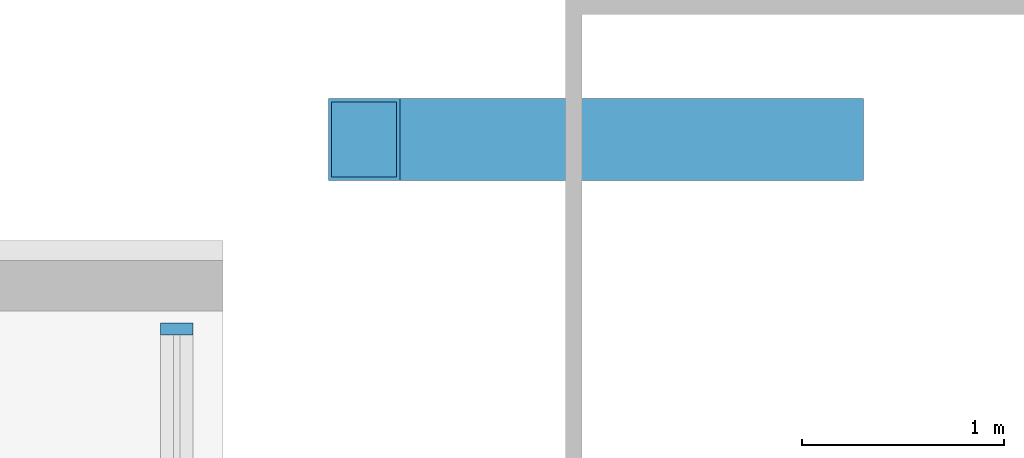
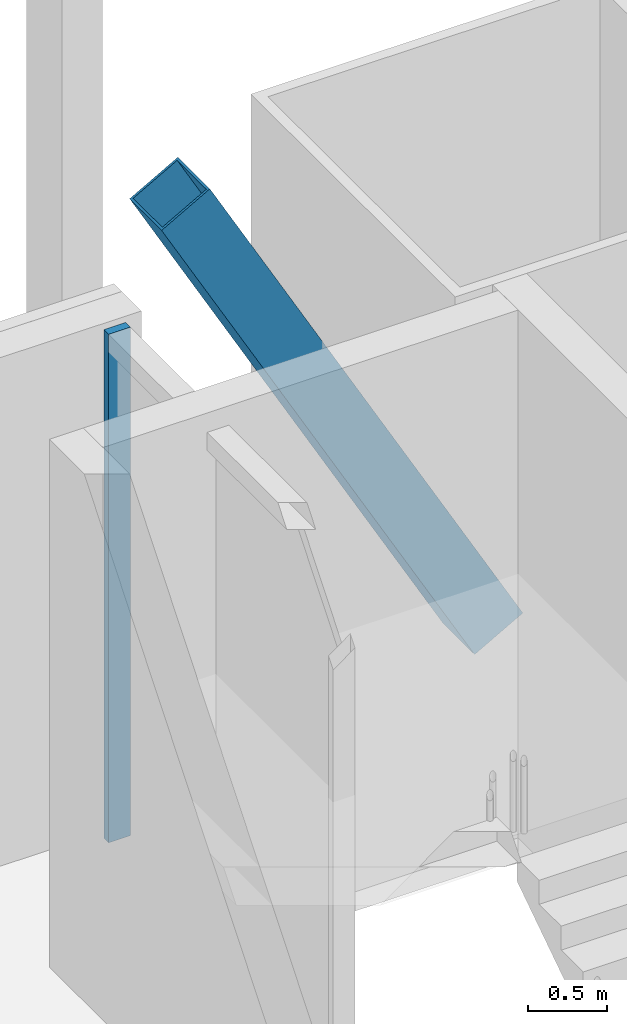
# One storey, part 26 of 33: 2 members, 1 element without a shape of its own.
"""IFC4 building model written with IfcOpenShell, lengths in metres."""

from ifc_helpers import new_model, si_unit, direction, frame, origin, origin_2d, place, context, subcontext, project, spatial, rectangle, hollow_rectangle, extrude, material, material_profile, profile_set, type_object, element, aggregate, save


model = new_model("IFC4")

# Units and contexts
model_context = context("Model", 3, precision=1e-05, world=origin(), true_north=direction((0.0, 1.0)))
body_context = subcontext(model_context, "Body", "Model", "MODEL_VIEW")
ifc_project = project(units=[si_unit("LENGTHUNIT", "METRE"), si_unit("AREAUNIT", "SQUARE_METRE"), si_unit("VOLUMEUNIT", "CUBIC_METRE"), si_unit("PLANEANGLEUNIT", "RADIAN"), si_unit("MASSUNIT", "GRAM", prefix="KILO")], contexts=[model_context])

# Site, building, storey
site_placement = place(None, origin())
site = spatial("IfcSite", under=ifc_project, at=site_placement, CompositionType="ELEMENT")
building_placement = place(site_placement, origin())
building = spatial("IfcBuilding", under=site, at=building_placement, Name="Bicima Exchange Tower", CompositionType="ELEMENT")
storey_placement = place(building_placement, frame((0.0, 0.0, 140.39990234375)))
storey = spatial("IfcBuildingStorey", under=building, at=storey_placement, Name="L30", CompositionType="ELEMENT", Elevation=140.39990234375)

# Curtain wall, member
ifc_material_1 = material(Name="Anodised bronze aluminium", Category="aluminium")
curtain_wall_type = type_object("IfcCurtainWallType", Name="Front glass wall", PredefinedType="NOTDEFINED", material=ifc_material_1)
curtain_wall_placement = place(storey_placement, origin())
curtain_wall = element("IfcCurtainWall", 1, at=curtain_wall_placement, inside=storey, type_object=curtain_wall_type, Name="Front glass wall L30 run 2", PredefinedType="NOTDEFINED")
ifc_material_profile_1 = material_profile(ifc_material_1, rectangle(XDim=0.159912109375, YDim=0.06005859375, at=origin_2d()))
ifc_profile_set_1 = profile_set([ifc_material_profile_1], Name="Anodised bronze aluminium")
member_type_1 = type_object("IfcMemberType", Name="Front glass wall mullion 60 x 160", PredefinedType="MULLION", material=ifc_profile_set_1)
member_1_placement = place(storey_placement, frame((29.77001953125, -3.340087890625, 0.0), z_axis=(0.0, 0.0, 1.0), x_axis=(-1.0, 0.0, 0.0)))
member_1 = element("IfcMember", 2, at=member_1_placement, type_object=member_type_1, Name="Front glass wall mullion 2", PredefinedType="MULLION", context=body_context, shape_type="SweptSolid", body=[
    extrude(rectangle(XDim=0.159912109375, YDim=0.06005859375, at=origin_2d()), origin(), (0.0, 0.0, 1.0), 3.9501953125),
])
aggregate(curtain_wall, [member_1])

# Member
ifc_material_2 = material(Name="Steel ASTM A572 Gr 50", Category="steel")
ifc_material_profile_2 = material_profile(ifc_material_2, hollow_rectangle(XDim=0.406494140625, YDim=0.406494140625, WallThickness=0.017822265625, at=origin_2d()))
ifc_profile_set_2 = profile_set([ifc_material_profile_2], Name="Steel ASTM A572 Gr 50")
member_type_2 = type_object("IfcMemberType", Name="Mega brace HSS16x16x3/4", PredefinedType="BRACE", material=ifc_profile_set_2)
member_2_placement = place(storey_placement, frame((33.0, -2.39990234375, 0.0), z_axis=(-0.489250010841, 0.0, 0.87214358158), x_axis=(0.0, -1.0, 0.0)))
element("IfcMember", 3, at=member_2_placement, inside=storey, type_object=member_type_2, Name="Mega brace rear", PredefinedType="BRACE", context=body_context, shape_type="SweptSolid", body=[
    extrude(hollow_rectangle(XDim=0.406494140625, YDim=0.406494140625, WallThickness=0.017822265625, at=origin_2d()), origin(), (0.0, 0.0, 1.0), 4.701171875),
])

save(model, "model.ifc")
